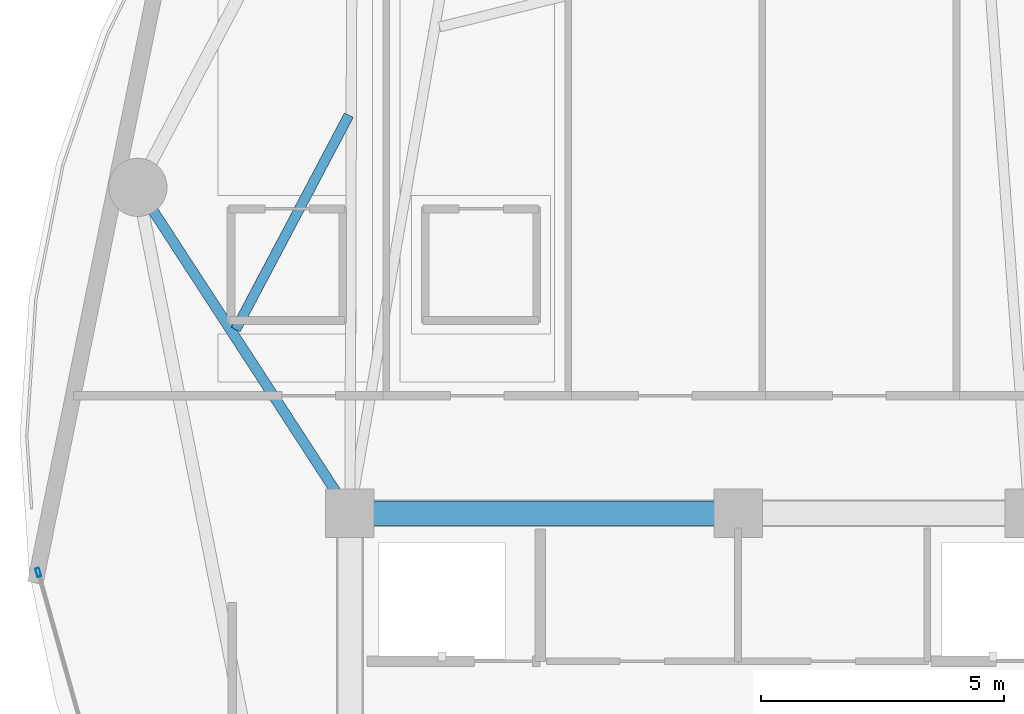
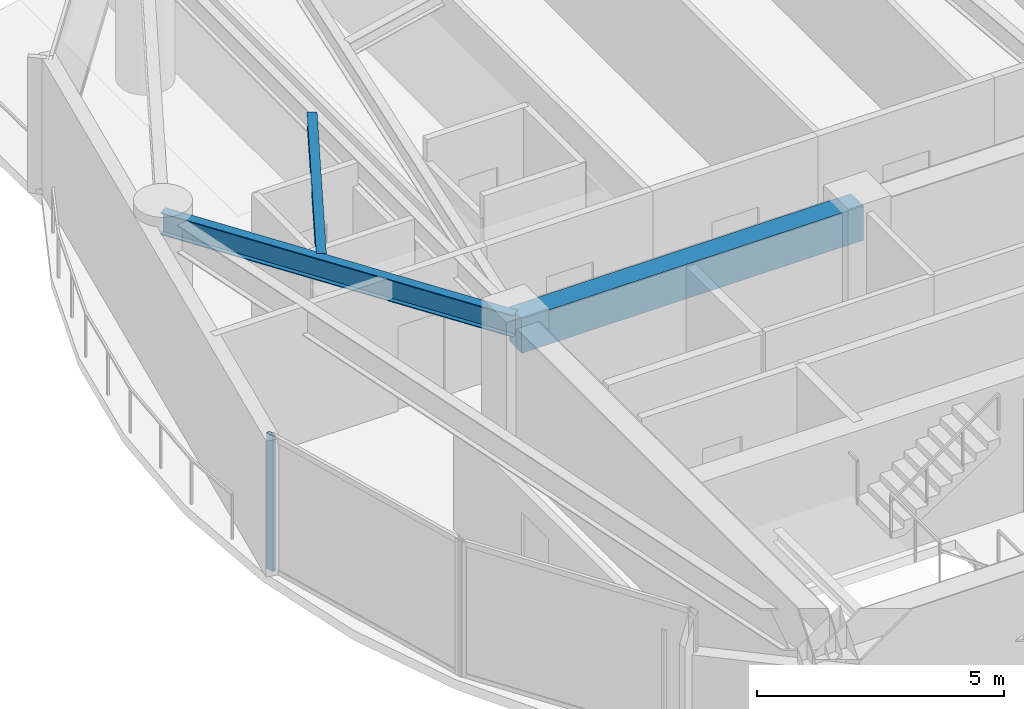
# One storey, part 7 of 28: 3 beams, 1 member, 1 element without a shape of its own.
"""IFC4 building model written with IfcOpenShell, lengths in metres."""

from ifc_helpers import new_model, si_unit, direction, frame, origin, origin_2d, place, context, subcontext, project, spatial, rectangle, hollow_rectangle, i_section, extrude, material, layer, layer_set, material_profile, profile_set, type_object, element, aggregate, save


model = new_model("IFC4")

# Units and contexts
model_context = context("Model", 3, precision=1e-05, world=origin(), true_north=direction((0.0, 1.0)))
body_context = subcontext(model_context, "Body", "Model", "MODEL_VIEW")
ifc_project = project(units=[si_unit("LENGTHUNIT", "METRE"), si_unit("AREAUNIT", "SQUARE_METRE"), si_unit("VOLUMEUNIT", "CUBIC_METRE"), si_unit("PLANEANGLEUNIT", "RADIAN"), si_unit("MASSUNIT", "GRAM", prefix="KILO")], contexts=[model_context])

# Site, building, storey
site_placement = place(None, origin())
site = spatial("IfcSite", under=ifc_project, at=site_placement, CompositionType="ELEMENT")
building_placement = place(site_placement, origin())
building = spatial("IfcBuilding", under=site, at=building_placement, Name="Kazevale Care Tower and Concert Hall", CompositionType="ELEMENT")
storey_placement = place(building_placement, frame((0.0, 0.0, 138.60009765625)))
storey = spatial("IfcBuildingStorey", under=building, at=storey_placement, Name="L36", CompositionType="ELEMENT", Elevation=138.60009765625)

# Curtain wall, member
ifc_material_1 = material(Name="Aluminium 6063-T6 and Low-E Glass", Category="aluminium")
ifc_layer = layer(ifc_material_1, 0.179931640625)
ifc_layer_set = layer_set([ifc_layer], Name="Aluminium 6063-T6 and Low-E Glass")
curtain_wall_type = type_object("IfcCurtainWallType", Name="Waist & Upper Residential Curtain Wall CW-4", PredefinedType="NOTDEFINED", material=ifc_layer_set)
curtain_wall_placement = place(storey_placement, origin())
curtain_wall = element("IfcCurtainWall", 1, at=curtain_wall_placement, inside=storey, type_object=curtain_wall_type, Name="cw:L36:f12", PredefinedType="NOTDEFINED")
ifc_material_2 = material(Name="Aluminium 6063-T6", Category="aluminium")
ifc_material_profile_1 = material_profile(ifc_material_2, hollow_rectangle(XDim=0.080078125, YDim=0.179931640625, WallThickness=0.0048828125, at=origin_2d()), Name="ALU80x180x5")
ifc_profile_set_1 = profile_set([ifc_material_profile_1], Name="Aluminium 6063-T6")
member_type = type_object("IfcMemberType", Name="CW-4 Mullion ALU80x180x5", PredefinedType="MULLION", material=ifc_profile_set_1)
member_placement = place(storey_placement, frame((15.576904296875, 35.18359375, 0.0), z_axis=(0.0, 0.0, 1.0), x_axis=(-0.962499078876, -0.271284948278, 0.0)))
member = element("IfcMember", 2, at=member_placement, type_object=member_type, Name="CW-4 mullion 2", PredefinedType="MULLION", context=body_context, shape_type="SweptSolid", body=[
    extrude(hollow_rectangle(XDim=0.080078125, YDim=0.179931640625, WallThickness=0.0048828125, at=origin_2d()), origin(), (0.0, 0.0, 1.0), 3.35986328125),
])
aggregate(curtain_wall, [member])

# Beams
ifc_material_3 = material(Name="Concrete C60", Category="concrete")
ifc_material_profile_2 = material_profile(ifc_material_3, rectangle(XDim=0.5, YDim=0.85009765625, at=origin_2d()), Name="RC-B500x850")
ifc_profile_set_2 = profile_set([ifc_material_profile_2], Name="Concrete C60")
beam_type_1 = type_object("IfcBeamType", Name="Core Coupling Beam RC500x850", PredefinedType="LINTEL", material=ifc_profile_set_2)
beam_1_placement = place(storey_placement, frame((30.0, 36.39990234375, 2.934814453125), z_axis=(-1.0, 0.0, 0.0), x_axis=(0.0, -1.0, 0.0)))
element("IfcBeam", 3, at=beam_1_placement, inside=storey, type_object=beam_type_1, Name="beam:L36:coretie:7", PredefinedType="LINTEL", context=body_context, shape_type="SweptSolid", body=[
    extrude(rectangle(XDim=0.5, YDim=0.85009765625, at=origin_2d()), origin(), (0.0, 0.0, 1.0), 8.0),
])
ifc_material_4 = material(Name="Steel ASTM A572 Gr 50", Category="steel")
ifc_material_profile_3 = material_profile(ifc_material_4, i_section(OverallWidth=0.2119140625, OverallDepth=0.5439453125, WebThickness=0.01318359375, FlangeThickness=0.021240234375, at=origin_2d()), Name="W530x123")
ifc_profile_set_3 = profile_set([ifc_material_profile_3], Name="Steel ASTM A572 Gr 50")
beam_type_2 = type_object("IfcBeamType", Name="Radial Floor Girder W530x123", PredefinedType="BEAM", material=ifc_profile_set_3)
beam_2_placement = place(storey_placement, frame((22.0, 36.39990234375, 3.087890625), z_axis=(-0.5451617613, 0.83833087383, 0.0), x_axis=(-0.83833087383, -0.5451617613, 0.0)))
element("IfcBeam", 4, at=beam_2_placement, inside=storey, type_object=beam_type_2, Name="beam:L36:rad:09", PredefinedType="BEAM", context=body_context, shape_type="SweptSolid", body=[
    extrude(i_section(OverallWidth=0.2119140625, OverallDepth=0.5439453125, WebThickness=0.01318359375, FlangeThickness=0.021240234375, at=origin_2d()), origin(), (0.0, 0.0, 1.0), 8.01611328125),
])
ifc_material_profile_4 = material_profile(ifc_material_4, i_section(OverallWidth=0.205078125, OverallDepth=0.35400390625, WebThickness=0.009521484375, FlangeThickness=0.016845703125, at=origin_2d()), Name="W360x79")
ifc_profile_set_4 = profile_set([ifc_material_profile_4], Name="Steel ASTM A572 Gr 50")
beam_type_3 = type_object("IfcBeamType", Name="Secondary Floor Joist W360x79", PredefinedType="JOIST", material=ifc_profile_set_4)
beam_3_placement = place(storey_placement, frame((21.97802734375, 44.60693359375, 3.182861328125), z_axis=(-0.466809583155, -0.884357853515, 0.0), x_axis=(0.884357853515, -0.466809583155, 0.0)))
element("IfcBeam", 5, at=beam_3_placement, inside=storey, type_object=beam_type_3, Name="beam:L36:joist:08", PredefinedType="JOIST", context=body_context, shape_type="SweptSolid", body=[
    extrude(i_section(OverallWidth=0.205078125, OverallDepth=0.35400390625, WebThickness=0.009521484375, FlangeThickness=0.016845703125, at=origin_2d()), origin(), (0.0, 0.0, 1.0), 4.99560546875),
])

save(model, "model.ifc")
